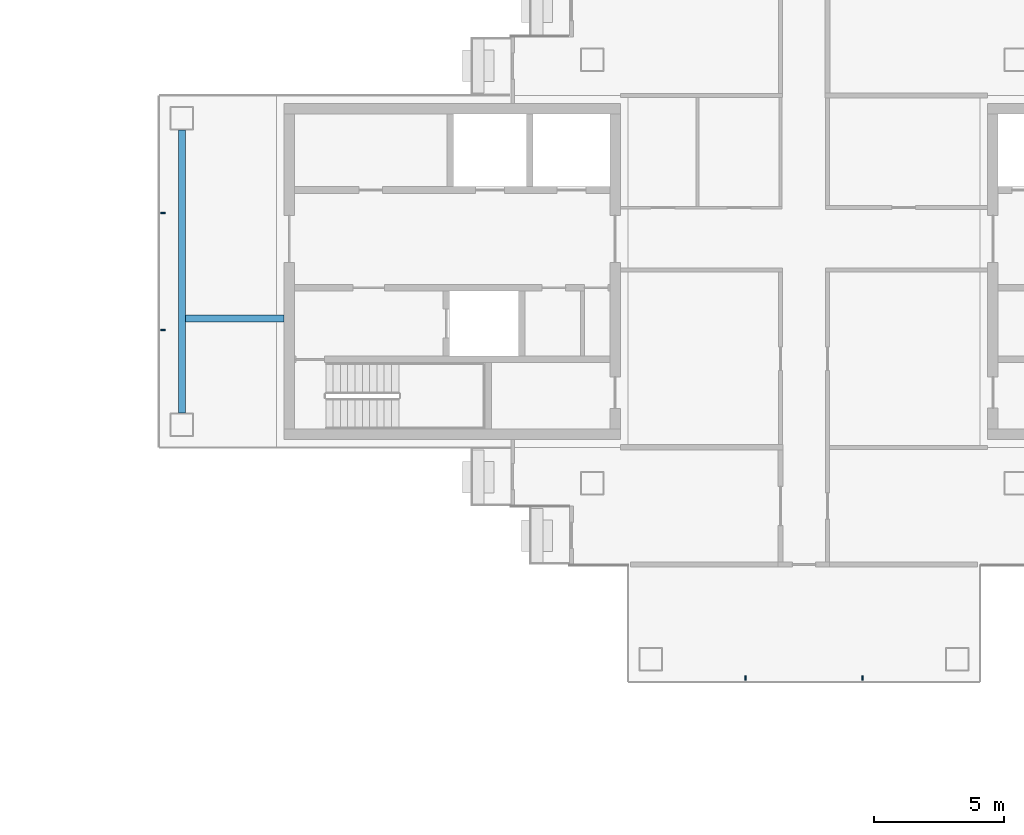
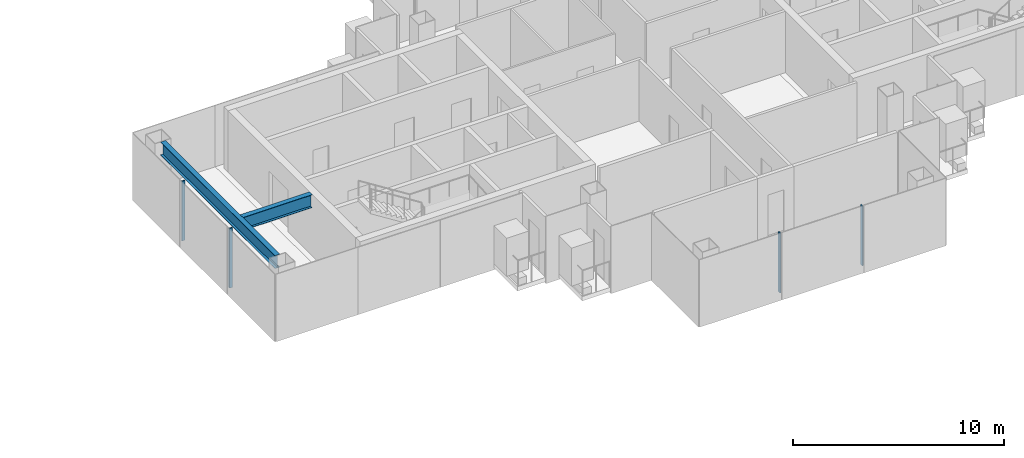
# One storey, part 5 of 17: 4 members, 2 beams, 2 elements without a shape of their own.
"""IFC4 building model written with IfcOpenShell, lengths in metres."""

from ifc_helpers import new_model, si_unit, direction, frame, origin, origin_2d, place, context, subcontext, project, spatial, rectangle, i_section, extrude, material, layer, layer_set, material_profile, profile_set, type_object, element, aggregate, save


model = new_model("IFC4")

# Units and contexts
model_context = context("Model", 3, precision=1e-05, world=origin(), true_north=direction((0.0, 1.0)))
body_context = subcontext(model_context, "Body", "Model", "MODEL_VIEW")
ifc_project = project(units=[si_unit("LENGTHUNIT", "METRE"), si_unit("AREAUNIT", "SQUARE_METRE"), si_unit("VOLUMEUNIT", "CUBIC_METRE"), si_unit("PLANEANGLEUNIT", "RADIAN"), si_unit("MASSUNIT", "GRAM", prefix="KILO")], contexts=[model_context])

# Site, building, storey
site_placement = place(None, origin())
site = spatial("IfcSite", under=ifc_project, at=site_placement, CompositionType="ELEMENT")
building_placement = place(site_placement, origin())
building = spatial("IfcBuilding", under=site, at=building_placement, Name="Shamsa Quay Exchange Towers", CompositionType="ELEMENT")
storey_placement = place(building_placement, frame((0.0, 0.0, 230.39990234375)))
storey = spatial("IfcBuildingStorey", under=building, at=storey_placement, Name="L55", CompositionType="ELEMENT", Elevation=230.39990234375)

# Curtain wall, members
ifc_material_1 = material(Name="Aluminium EN AW-6063 T6, black anodised", Category="aluminium")
ifc_layer = layer(ifc_material_1, 0.280029296875)
ifc_layer_set = layer_set([ifc_layer], Name="CW-1 UNITISED VISION GLASS")
curtain_wall_type = type_object("IfcCurtainWallType", Name="CW-1 UNITISED VISION GLASS", PredefinedType="NOTDEFINED", material=ifc_layer_set)
curtain_wall_1_placement = place(storey_placement, origin())
curtain_wall_1 = element("IfcCurtainWall", 1, at=curtain_wall_1_placement, inside=storey, type_object=curtain_wall_type, Name="CW1 T2-END-V+ L55", PredefinedType="NOTDEFINED")
ifc_material_profile_1 = material_profile(ifc_material_1, rectangle(XDim=0.179931640625, YDim=0.06005859375, at=origin_2d()), Name="MU60x180")
ifc_profile_set_1 = profile_set([ifc_material_profile_1], Name="Aluminium EN AW-6063 T6, black anodised")
member_type = type_object("IfcMemberType", Name="CW1 MULLION 60x180", PredefinedType="MULLION", material=ifc_profile_set_1)
member_1_placement = place(storey_placement, frame((9.14990234375, 2.25, 0.0)))
member_1 = element("IfcMember", 2, at=member_1_placement, type_object=member_type, Name="CW1 mullion", PredefinedType="MULLION", context=body_context, shape_type="SweptSolid", body=[
    extrude(rectangle(XDim=0.179931640625, YDim=0.06005859375, at=origin_2d()), origin(), (0.0, 0.0, 1.0), 3.4501953125),
])
member_2_placement = place(storey_placement, frame((9.14990234375, -2.25, 0.0)))
member_2 = element("IfcMember", 3, at=member_2_placement, type_object=member_type, Name="CW1 mullion", PredefinedType="MULLION", context=body_context, shape_type="SweptSolid", body=[
    extrude(rectangle(XDim=0.179931640625, YDim=0.06005859375, at=origin_2d()), origin(), (0.0, 0.0, 1.0), 3.4501953125),
])
aggregate(curtain_wall_1, [member_1, member_2])

curtain_wall_2_placement = place(storey_placement, origin())
curtain_wall_2 = element("IfcCurtainWall", 4, at=curtain_wall_2_placement, inside=storey, type_object=curtain_wall_type, Name="CW1 T2-END-U- L55", PredefinedType="NOTDEFINED")
member_3_placement = place(storey_placement, frame((31.5, -15.60009765625, 0.0), z_axis=(0.0, 0.0, 1.0), x_axis=(0.0, 1.0, 0.0)))
member_3 = element("IfcMember", 5, at=member_3_placement, type_object=member_type, Name="CW1 mullion", PredefinedType="MULLION", context=body_context, shape_type="SweptSolid", body=[
    extrude(rectangle(XDim=0.179931640625, YDim=0.06005859375, at=origin_2d()), origin(), (0.0, 0.0, 1.0), 3.4501953125),
])
member_4_placement = place(storey_placement, frame((36.0, -15.60009765625, 0.0), z_axis=(0.0, 0.0, 1.0), x_axis=(0.0, 1.0, 0.0)))
member_4 = element("IfcMember", 6, at=member_4_placement, type_object=member_type, Name="CW1 mullion", PredefinedType="MULLION", context=body_context, shape_type="SweptSolid", body=[
    extrude(rectangle(XDim=0.179931640625, YDim=0.06005859375, at=origin_2d()), origin(), (0.0, 0.0, 1.0), 3.4501953125),
])
aggregate(curtain_wall_2, [member_3, member_4])

# Beams
ifc_material_2 = material(Name="Steel S355", Category="steel")
ifc_material_profile_2 = material_profile(ifc_material_2, i_section(OverallWidth=0.26611328125, OverallDepth=0.7578125, WebThickness=0.013916015625, FlangeThickness=0.019287109375, at=origin_2d()), Name="W30x108")
ifc_profile_set_2 = profile_set([ifc_material_profile_2], Name="Steel S355")
beam_type = type_object("IfcBeamType", Name="End-zone beam W30x108", PredefinedType="BEAM", material=ifc_profile_set_2)
beam_1_placement = place(storey_placement, frame((9.875, -5.425048828125, 3.171142578125), z_axis=(0.0, 1.0, 0.0), x_axis=(-1.0, 0.0, 0.0)))
element("IfcBeam", 7, at=beam_1_placement, inside=storey, type_object=beam_type, Name="End beam T2 V+ end zone L55", PredefinedType="BEAM", context=body_context, shape_type="SweptSolid", body=[
    extrude(i_section(OverallWidth=0.26611328125, OverallDepth=0.7578125, WebThickness=0.013916015625, FlangeThickness=0.019287109375, at=origin_2d()), origin(), (0.0, 0.0, 1.0), 10.85009765625),
])
beam_2_placement = place(storey_placement, frame((13.800048828125, -1.800048828125, 3.171142578125), z_axis=(-1.0, 0.0, 0.0), x_axis=(0.0, -1.0, 0.0)))
element("IfcBeam", 8, at=beam_2_placement, inside=storey, type_object=beam_type, Name="Spine beam T2 V+ end zone L55", PredefinedType="BEAM", context=body_context, shape_type="SweptSolid", body=[
    extrude(i_section(OverallWidth=0.26611328125, OverallDepth=0.7578125, WebThickness=0.013916015625, FlangeThickness=0.019287109375, at=origin_2d()), origin(), (0.0, 0.0, 1.0), 3.7919921875),
])

save(model, "model.ifc")
